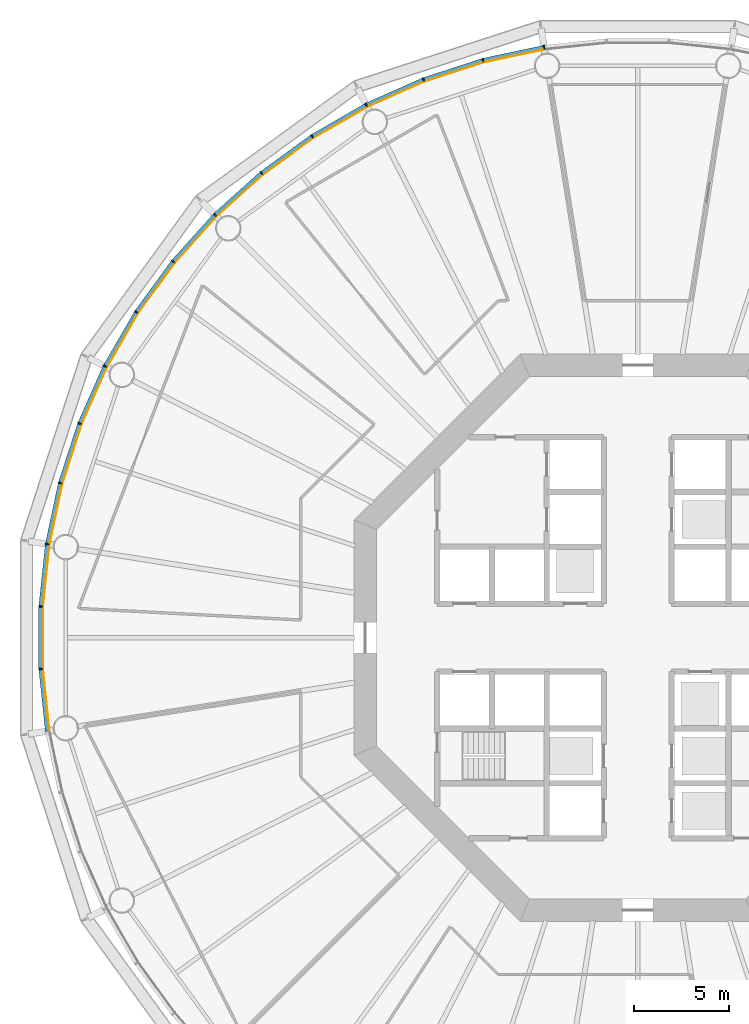
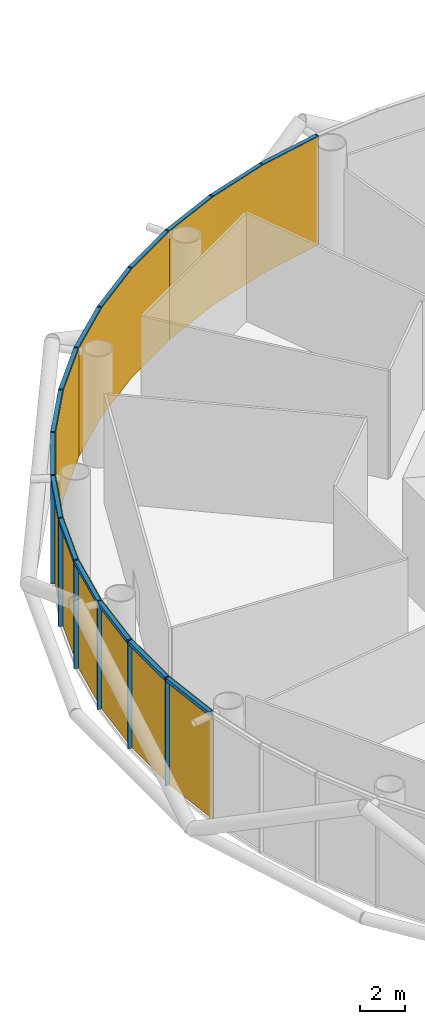
# One storey, part 10 of 14: 30 members, 5 curtain walls.
"""IFC4 building model written with IfcOpenShell, lengths in metres."""

from ifc_helpers import new_model, si_unit, direction, frame, origin, origin_2d, place, context, subcontext, project, spatial, polyline, rectangle, outline, extrude, material, layer, layer_set, material_profile, profile_set, type_object, element, aggregate, save


model = new_model("IFC4")

# Units and contexts
model_context = context("Model", 3, precision=1e-05, world=origin(), true_north=direction((0.0, 1.0)))
body_context = subcontext(model_context, "Body", "Model", "MODEL_VIEW")
ifc_project = project(units=[si_unit("LENGTHUNIT", "METRE"), si_unit("AREAUNIT", "SQUARE_METRE"), si_unit("VOLUMEUNIT", "CUBIC_METRE"), si_unit("PLANEANGLEUNIT", "RADIAN"), si_unit("MASSUNIT", "GRAM", prefix="KILO")], contexts=[model_context])

# Member
ifc_material_1 = material(Name="Anodised aluminium", Category="aluminium")
ifc_material_profile_1 = material_profile(ifc_material_1, rectangle(XDim=0.070068359375, YDim=0.199951171875, at=origin_2d()), Name="Mullion 70 x 200 mm anodised aluminium")
ifc_profile_set_1 = profile_set([ifc_material_profile_1], Name="Anodised aluminium")
member_type_1 = type_object("IfcMemberType", Name="Mullion 70 x 200 mm anodised aluminium", PredefinedType="MULLION", material=ifc_profile_set_1)
site_placement = place(None, origin())
building_placement = place(site_placement, origin())
storey_placement = place(building_placement, frame((0.0, 0.0, 132.0)))
member_1_placement = place(storey_placement, frame((85.056640625, 111.2109375, 0.0), z_axis=(0.0, 0.0, 1.0), x_axis=(-0.987688340595, -0.15643446504, 0.0)))
member_1 = element("IfcMember", 1, at=member_1_placement, type_object=member_type_1, Name="MULLION L30-15", PredefinedType="MULLION", context=body_context, shape_type="SweptSolid", body=[
    extrude(rectangle(XDim=0.070068359375, YDim=0.199951171875, at=origin_2d()), origin(), (0.0, 0.0, 1.0), 5.85009765625),
])

member_2_placement = place(storey_placement, frame((81.8212890625, 110.523193359375, 0.0), z_axis=(0.0, 0.0, 1.0), x_axis=(-0.965925826289, -0.258819045103, 0.0)))
member_2 = element("IfcMember", 2, at=member_2_placement, type_object=member_type_1, Name="MULLION L30-16", PredefinedType="MULLION", context=body_context, shape_type="SweptSolid", body=[
    extrude(rectangle(XDim=0.070068359375, YDim=0.199951171875, at=origin_2d()), origin(), (0.0, 0.0, 1.0), 5.85009765625),
])

member_3_placement = place(storey_placement, frame((78.675537109375, 109.501220703125, 0.0), z_axis=(0.0, 0.0, 1.0), x_axis=(-0.933580426497, -0.358367949545, 0.0)))
member_3 = element("IfcMember", 3, at=member_3_placement, type_object=member_type_1, Name="MULLION L30-17", PredefinedType="MULLION", context=body_context, shape_type="SweptSolid", body=[
    extrude(rectangle(XDim=0.070068359375, YDim=0.199951171875, at=origin_2d()), origin(), (0.0, 0.0, 1.0), 5.85009765625),
])

member_4_placement = place(storey_placement, frame((75.65380859375, 108.15576171875, 0.0), z_axis=(0.0, 0.0, 1.0), x_axis=(-0.891006524188, -0.45399049974, 0.0)))
member_4 = element("IfcMember", 4, at=member_4_placement, type_object=member_type_1, Name="MULLION L30-18", PredefinedType="MULLION", context=body_context, shape_type="SweptSolid", body=[
    extrude(rectangle(XDim=0.070068359375, YDim=0.199951171875, at=origin_2d()), origin(), (0.0, 0.0, 1.0), 5.85009765625),
])

member_5_placement = place(storey_placement, frame((72.789306640625, 106.501953125, 0.0), z_axis=(0.0, 0.0, 1.0), x_axis=(-0.838670567945, -0.544639035015, 0.0)))
member_5 = element("IfcMember", 5, at=member_5_placement, type_object=member_type_1, Name="MULLION L30-19", PredefinedType="MULLION", context=body_context, shape_type="SweptSolid", body=[
    extrude(rectangle(XDim=0.070068359375, YDim=0.199951171875, at=origin_2d()), origin(), (0.0, 0.0, 1.0), 5.85009765625),
])

member_6_placement = place(storey_placement, frame((70.113525390625, 104.557861328125, 0.0), z_axis=(0.0, 0.0, 1.0), x_axis=(-0.777145961457, -0.62932039105, 0.0)))
member_6 = element("IfcMember", 6, at=member_6_placement, type_object=member_type_1, Name="MULLION L30-20", PredefinedType="MULLION", context=body_context, shape_type="SweptSolid", body=[
    extrude(rectangle(XDim=0.070068359375, YDim=0.199951171875, at=origin_2d()), origin(), (0.0, 0.0, 1.0), 5.85009765625),
])

member_7_placement = place(storey_placement, frame((67.655517578125, 102.344482421875, 0.0), z_axis=(0.0, 0.0, 1.0), x_axis=(-0.707106781187, -0.707106781187, 0.0)))
member_7 = element("IfcMember", 7, at=member_7_placement, type_object=member_type_1, Name="MULLION L30-21", PredefinedType="MULLION", context=body_context, shape_type="SweptSolid", body=[
    extrude(rectangle(XDim=0.070068359375, YDim=0.199951171875, at=origin_2d()), origin(), (0.0, 0.0, 1.0), 5.85009765625),
])

member_8_placement = place(storey_placement, frame((65.442138671875, 99.886474609375, 0.0), z_axis=(0.0, 0.0, 1.0), x_axis=(-0.62932039105, -0.777145961457, 0.0)))
member_8 = element("IfcMember", 8, at=member_8_placement, type_object=member_type_1, Name="MULLION L30-22", PredefinedType="MULLION", context=body_context, shape_type="SweptSolid", body=[
    extrude(rectangle(XDim=0.070068359375, YDim=0.199951171875, at=origin_2d()), origin(), (0.0, 0.0, 1.0), 5.85009765625),
])

member_9_placement = place(storey_placement, frame((63.498046875, 97.210693359375, 0.0), z_axis=(0.0, 0.0, 1.0), x_axis=(-0.544639035015, -0.838670567945, 0.0)))
member_9 = element("IfcMember", 9, at=member_9_placement, type_object=member_type_1, Name="MULLION L30-23", PredefinedType="MULLION", context=body_context, shape_type="SweptSolid", body=[
    extrude(rectangle(XDim=0.070068359375, YDim=0.199951171875, at=origin_2d()), origin(), (0.0, 0.0, 1.0), 5.85009765625),
])

member_10_placement = place(storey_placement, frame((61.84423828125, 94.34619140625, 0.0), z_axis=(0.0, 0.0, 1.0), x_axis=(-0.45399049974, -0.891006524188, 0.0)))
member_10 = element("IfcMember", 10, at=member_10_placement, type_object=member_type_1, Name="MULLION L30-24", PredefinedType="MULLION", context=body_context, shape_type="SweptSolid", body=[
    extrude(rectangle(XDim=0.070068359375, YDim=0.199951171875, at=origin_2d()), origin(), (0.0, 0.0, 1.0), 5.85009765625),
])

member_11_placement = place(storey_placement, frame((60.498779296875, 91.324462890625, 0.0), z_axis=(0.0, 0.0, 1.0), x_axis=(-0.358367949545, -0.933580426497, 0.0)))
member_11 = element("IfcMember", 11, at=member_11_placement, type_object=member_type_1, Name="MULLION L30-25", PredefinedType="MULLION", context=body_context, shape_type="SweptSolid", body=[
    extrude(rectangle(XDim=0.070068359375, YDim=0.199951171875, at=origin_2d()), origin(), (0.0, 0.0, 1.0), 5.85009765625),
])

member_12_placement = place(storey_placement, frame((59.476806640625, 88.1787109375, 0.0), z_axis=(0.0, 0.0, 1.0), x_axis=(-0.258819045103, -0.965925826289, 0.0)))
member_12 = element("IfcMember", 12, at=member_12_placement, type_object=member_type_1, Name="MULLION L30-26", PredefinedType="MULLION", context=body_context, shape_type="SweptSolid", body=[
    extrude(rectangle(XDim=0.070068359375, YDim=0.199951171875, at=origin_2d()), origin(), (0.0, 0.0, 1.0), 5.85009765625),
])

member_13_placement = place(storey_placement, frame((58.7890625, 84.943359375, 0.0), z_axis=(0.0, 0.0, 1.0), x_axis=(-0.15643446504, -0.987688340595, 0.0)))
member_13 = element("IfcMember", 13, at=member_13_placement, type_object=member_type_1, Name="MULLION L30-27", PredefinedType="MULLION", context=body_context, shape_type="SweptSolid", body=[
    extrude(rectangle(XDim=0.070068359375, YDim=0.199951171875, at=origin_2d()), origin(), (0.0, 0.0, 1.0), 5.85009765625),
])

member_14_placement = place(storey_placement, frame((58.443359375, 81.65380859375, 0.0), z_axis=(0.0, 0.0, 1.0), x_axis=(-0.052335956243, -0.998629534755, 0.0)))
member_14 = element("IfcMember", 14, at=member_14_placement, type_object=member_type_1, Name="MULLION L30-28", PredefinedType="MULLION", context=body_context, shape_type="SweptSolid", body=[
    extrude(rectangle(XDim=0.070068359375, YDim=0.199951171875, at=origin_2d()), origin(), (0.0, 0.0, 1.0), 5.85009765625),
])

member_15_placement = place(storey_placement, frame((58.443359375, 78.34619140625, 0.0), z_axis=(0.0, 0.0, 1.0), x_axis=(0.052335956243, -0.998629534755, 0.0)))
member_15 = element("IfcMember", 15, at=member_15_placement, type_object=member_type_1, Name="MULLION L30-29", PredefinedType="MULLION", context=body_context, shape_type="SweptSolid", body=[
    extrude(rectangle(XDim=0.070068359375, YDim=0.199951171875, at=origin_2d()), origin(), (0.0, 0.0, 1.0), 5.85009765625),
])

ifc_material_2 = material(Name="Anodised aluminium", Category="aluminium")
ifc_material_profile_2 = material_profile(ifc_material_2, rectangle(XDim=0.199951171875, YDim=0.18994140625, at=origin_2d()), Name="Transom 190 x 200 mm anodised aluminium")
ifc_profile_set_2 = profile_set([ifc_material_profile_2], Name="Anodised aluminium")
member_type_2 = type_object("IfcMemberType", Name="Transom 190 x 200 mm anodised aluminium", PredefinedType="USERDEFINED", material=ifc_profile_set_2)
member_16_placement = place(storey_placement, frame((85.017333984375, 111.20263671875, 5.7548828125), z_axis=(-0.978153082647, -0.207885898771, 0.0), x_axis=(0.207885898771, -0.978153082647, 0.0)))
member_16 = element("IfcMember", 16, at=member_16_placement, type_object=member_type_2, Name="TRANSOM L30-15", ObjectType="TRANSOM", PredefinedType="USERDEFINED", context=body_context, shape_type="SweptSolid", body=[
    extrude(rectangle(XDim=0.199951171875, YDim=0.18994140625, at=origin_2d()), origin(), (0.0, 0.0, 1.0), 3.227294921875),
])

member_17_placement = place(storey_placement, frame((81.782958984375, 110.510986328125, 5.7548828125), z_axis=(-0.951046855117, -0.309046726844, 0.0), x_axis=(0.309046726844, -0.951046855117, 0.0)))
member_17 = element("IfcMember", 17, at=member_17_placement, type_object=member_type_2, Name="TRANSOM L30-16", ObjectType="TRANSOM", PredefinedType="USERDEFINED", context=body_context, shape_type="SweptSolid", body=[
    extrude(rectangle(XDim=0.199951171875, YDim=0.18994140625, at=origin_2d()), origin(), (0.0, 0.0, 1.0), 3.22705078125),
])

member_18_placement = place(storey_placement, frame((78.638671875, 109.48486328125, 5.7548828125), z_axis=(-0.913549291349, -0.406728032322, 0.0), x_axis=(0.406728032322, -0.913549291349, 0.0)))
member_18 = element("IfcMember", 18, at=member_18_placement, type_object=member_type_2, Name="TRANSOM L30-17", ObjectType="TRANSOM", PredefinedType="USERDEFINED", context=body_context, shape_type="SweptSolid", body=[
    extrude(rectangle(XDim=0.199951171875, YDim=0.18994140625, at=origin_2d()), origin(), (0.0, 0.0, 1.0), 3.22705078125),
])

member_19_placement = place(storey_placement, frame((75.618896484375, 108.1357421875, 5.7548828125), z_axis=(-0.866023062494, -0.500004055213, 0.0), x_axis=(0.500004055213, -0.866023062494, 0.0)))
member_19 = element("IfcMember", 19, at=member_19_placement, type_object=member_type_2, Name="TRANSOM L30-18", ObjectType="TRANSOM", PredefinedType="USERDEFINED", context=body_context, shape_type="SweptSolid", body=[
    extrude(rectangle(XDim=0.199951171875, YDim=0.18994140625, at=origin_2d()), origin(), (0.0, 0.0, 1.0), 3.22705078125),
])

member_20_placement = place(storey_placement, frame((72.7568359375, 106.478515625, 5.7548828125), z_axis=(-0.809004252048, -0.587802790201, 0.0), x_axis=(0.587802790201, -0.809004252048, 0.0)))
member_20 = element("IfcMember", 20, at=member_20_placement, type_object=member_type_2, Name="TRANSOM L30-19", ObjectType="TRANSOM", PredefinedType="USERDEFINED", context=body_context, shape_type="SweptSolid", body=[
    extrude(rectangle(XDim=0.199951171875, YDim=0.18994140625, at=origin_2d()), origin(), (0.0, 0.0, 1.0), 3.227294921875),
])

member_21_placement = place(storey_placement, frame((70.08349609375, 104.531005859375, 5.7548828125), z_axis=(-0.743132370743, -0.669144438484, 0.0), x_axis=(0.669144438484, -0.743132370743, 0.0)))
member_21 = element("IfcMember", 21, at=member_21_placement, type_object=member_type_2, Name="TRANSOM L30-20", ObjectType="TRANSOM", PredefinedType="USERDEFINED", context=body_context, shape_type="SweptSolid", body=[
    extrude(rectangle(XDim=0.199951171875, YDim=0.18994140625, at=origin_2d()), origin(), (0.0, 0.0, 1.0), 3.22705078125),
])

member_22_placement = place(storey_placement, frame((67.62841796875, 102.314697265625, 5.7548828125), z_axis=(-0.669144438484, -0.743132370743, 0.0), x_axis=(0.743132370743, -0.669144438484, 0.0)))
member_22 = element("IfcMember", 22, at=member_22_placement, type_object=member_type_2, Name="TRANSOM L30-21", ObjectType="TRANSOM", PredefinedType="USERDEFINED", context=body_context, shape_type="SweptSolid", body=[
    extrude(rectangle(XDim=0.199951171875, YDim=0.18994140625, at=origin_2d()), origin(), (0.0, 0.0, 1.0), 3.22705078125),
])

member_23_placement = place(storey_placement, frame((65.41845703125, 99.85400390625, 5.7548828125), z_axis=(-0.587802790201, -0.809004252048, 0.0), x_axis=(0.809004252048, -0.587802790201, 0.0)))
member_23 = element("IfcMember", 23, at=member_23_placement, type_object=member_type_2, Name="TRANSOM L30-22", ObjectType="TRANSOM", PredefinedType="USERDEFINED", context=body_context, shape_type="SweptSolid", body=[
    extrude(rectangle(XDim=0.199951171875, YDim=0.18994140625, at=origin_2d()), origin(), (0.0, 0.0, 1.0), 3.227294921875),
])

member_24_placement = place(storey_placement, frame((63.477783203125, 97.17578125, 5.7548828125), z_axis=(-0.500004055213, -0.866023062494, 0.0), x_axis=(0.866023062494, -0.500004055213, 0.0)))
member_24 = element("IfcMember", 24, at=member_24_placement, type_object=member_type_2, Name="TRANSOM L30-23", ObjectType="TRANSOM", PredefinedType="USERDEFINED", context=body_context, shape_type="SweptSolid", body=[
    extrude(rectangle(XDim=0.199951171875, YDim=0.18994140625, at=origin_2d()), origin(), (0.0, 0.0, 1.0), 3.22705078125),
])

member_25_placement = place(storey_placement, frame((61.82763671875, 94.309326171875, 5.7548828125), z_axis=(-0.406728032322, -0.913549291349, 0.0), x_axis=(0.913549291349, -0.406728032322, 0.0)))
member_25 = element("IfcMember", 25, at=member_25_placement, type_object=member_type_2, Name="TRANSOM L30-24", ObjectType="TRANSOM", PredefinedType="USERDEFINED", context=body_context, shape_type="SweptSolid", body=[
    extrude(rectangle(XDim=0.199951171875, YDim=0.18994140625, at=origin_2d()), origin(), (0.0, 0.0, 1.0), 3.22705078125),
])

member_26_placement = place(storey_placement, frame((60.486328125, 91.2861328125, 5.7548828125), z_axis=(-0.309046726844, -0.951046855117, 0.0), x_axis=(0.951046855117, -0.309046726844, 0.0)))
member_26 = element("IfcMember", 26, at=member_26_placement, type_object=member_type_2, Name="TRANSOM L30-25", ObjectType="TRANSOM", PredefinedType="USERDEFINED", context=body_context, shape_type="SweptSolid", body=[
    extrude(rectangle(XDim=0.199951171875, YDim=0.18994140625, at=origin_2d()), origin(), (0.0, 0.0, 1.0), 3.22705078125),
])

member_27_placement = place(storey_placement, frame((59.46826171875, 88.139404296875, 5.7548828125), z_axis=(-0.207885898771, -0.978153082647, 0.0), x_axis=(0.978153082647, -0.207885898771, 0.0)))
member_27 = element("IfcMember", 27, at=member_27_placement, type_object=member_type_2, Name="TRANSOM L30-26", ObjectType="TRANSOM", PredefinedType="USERDEFINED", context=body_context, shape_type="SweptSolid", body=[
    extrude(rectangle(XDim=0.199951171875, YDim=0.18994140625, at=origin_2d()), origin(), (0.0, 0.0, 1.0), 3.227294921875),
])

member_28_placement = place(storey_placement, frame((58.78466796875, 84.9033203125, 5.7548828125), z_axis=(-0.104550890115, -0.994519537956, 0.0), x_axis=(0.994519537956, -0.104550890115, 0.0)))
member_28 = element("IfcMember", 28, at=member_28_placement, type_object=member_type_2, Name="TRANSOM L30-27", ObjectType="TRANSOM", PredefinedType="USERDEFINED", context=body_context, shape_type="SweptSolid", body=[
    extrude(rectangle(XDim=0.199951171875, YDim=0.18994140625, at=origin_2d()), origin(), (0.0, 0.0, 1.0), 3.22705078125),
])

member_29_placement = place(storey_placement, frame((58.443115234375, 81.613525390625, 5.7548828125), z_axis=(0.0, -1.0, 0.0), x_axis=(1.0, 0.0, 0.0)))
member_29 = element("IfcMember", 29, at=member_29_placement, type_object=member_type_2, Name="TRANSOM L30-28", ObjectType="TRANSOM", PredefinedType="USERDEFINED", context=body_context, shape_type="SweptSolid", body=[
    extrude(rectangle(XDim=0.199951171875, YDim=0.18994140625, at=origin_2d()), origin(), (0.0, 0.0, 1.0), 3.22705078125),
])

member_30_placement = place(storey_placement, frame((58.447265625, 78.30615234375, 5.7548828125), z_axis=(0.104550890115, -0.994519537956, 0.0), x_axis=(0.994519537956, 0.104550890115, 0.0)))
member_30 = element("IfcMember", 30, at=member_30_placement, type_object=member_type_2, Name="TRANSOM L30-29", ObjectType="TRANSOM", PredefinedType="USERDEFINED", context=body_context, shape_type="SweptSolid", body=[
    extrude(rectangle(XDim=0.199951171875, YDim=0.18994140625, at=origin_2d()), origin(), (0.0, 0.0, 1.0), 3.22705078125),
])

# Site, building, storey
site = spatial("IfcSite", under=ifc_project, at=site_placement, CompositionType="ELEMENT")
building = spatial("IfcBuilding", under=site, at=building_placement, Name="Entoto Ring Tower", CompositionType="ELEMENT")
storey = spatial("IfcBuildingStorey", under=building, at=storey_placement, Name="L30", CompositionType="ELEMENT", Elevation=132.0)

# Curtain wall
ifc_material_3 = material(Name="Clear low-iron glass", Category="glass")
ifc_layer = layer(ifc_material_3, 0.035888671875)
ifc_layer_set = layer_set([ifc_layer], Name="Clear low-iron glass")
curtain_wall_type = type_object("IfcCurtainWallType", Name="Curtain wall system CW2 glazing 36 mm", PredefinedType="NOTDEFINED", material=ifc_layer_set)
curtain_wall_1_placement = place(storey_placement, origin())
curtain_wall_1 = element("IfcCurtainWall", 31, at=curtain_wall_1_placement, inside=storey, type_object=curtain_wall_type, Name="CW2 L30-06", PredefinedType="NOTDEFINED", context=body_context, shape_type="SweptSolid", body=[
    extrude(outline(polyline([(85.072265625, 111.1123046875), (81.84716796875, 110.4267578125), (78.71142578125, 109.40771484375), (75.69921875, 108.066650390625), (75.715576171875, 108.03466796875), (78.724365234375, 109.3740234375), (81.8564453125, 110.391845703125), (85.077880859375, 111.07666015625), (85.072265625, 111.1123046875)])), origin(), (0.0, 0.0, 1.0), 5.85009765625),
])

aggregate(curtain_wall_1, [member_1, member_2, member_3, member_16, member_17, member_18])

curtain_wall_2_placement = place(storey_placement, origin())
curtain_wall_2 = element("IfcCurtainWall", 32, at=curtain_wall_2_placement, inside=storey, type_object=curtain_wall_type, Name="CW2 L30-07", PredefinedType="NOTDEFINED", context=body_context, shape_type="SweptSolid", body=[
    extrude(outline(polyline([(75.69921875, 108.066650390625), (72.84375, 106.418212890625), (70.176513671875, 104.47998046875), (67.72607421875, 102.27392578125), (67.751708984375, 102.248291015625), (70.198974609375, 104.4521484375), (72.863525390625, 106.387939453125), (75.715576171875, 108.03466796875), (75.69921875, 108.066650390625)])), origin(), (0.0, 0.0, 1.0), 5.85009765625),
])

aggregate(curtain_wall_2, [member_4, member_5, member_6, member_19, member_20, member_21])

curtain_wall_3_placement = place(storey_placement, origin())
curtain_wall_3 = element("IfcCurtainWall", 33, at=curtain_wall_3_placement, inside=storey, type_object=curtain_wall_type, Name="CW2 L30-08", PredefinedType="NOTDEFINED", context=body_context, shape_type="SweptSolid", body=[
    extrude(outline(polyline([(67.72607421875, 102.27392578125), (65.52001953125, 99.823486328125), (63.581787109375, 97.15625), (61.933349609375, 94.30078125), (61.96533203125, 94.284423828125), (63.612060546875, 97.136474609375), (65.5478515625, 99.801025390625), (67.751708984375, 102.248291015625), (67.72607421875, 102.27392578125)])), origin(), (0.0, 0.0, 1.0), 5.85009765625),
])

aggregate(curtain_wall_3, [member_7, member_8, member_9, member_22, member_23, member_24])

curtain_wall_4_placement = place(storey_placement, origin())
curtain_wall_4 = element("IfcCurtainWall", 34, at=curtain_wall_4_placement, inside=storey, type_object=curtain_wall_type, Name="CW2 L30-09", PredefinedType="NOTDEFINED", context=body_context, shape_type="SweptSolid", body=[
    extrude(outline(polyline([(61.933349609375, 94.30078125), (60.59228515625, 91.28857421875), (59.5732421875, 88.15283203125), (58.8876953125, 84.927734375), (58.92333984375, 84.922119140625), (59.608154296875, 88.1435546875), (60.6259765625, 91.275634765625), (61.96533203125, 94.284423828125), (61.933349609375, 94.30078125)])), origin(), (0.0, 0.0, 1.0), 5.85009765625),
])

aggregate(curtain_wall_4, [member_10, member_11, member_12, member_25, member_26, member_27])

curtain_wall_5_placement = place(storey_placement, origin())
curtain_wall_5 = element("IfcCurtainWall", 35, at=curtain_wall_5_placement, inside=storey, type_object=curtain_wall_type, Name="CW2 L30-10", PredefinedType="NOTDEFINED", context=body_context, shape_type="SweptSolid", body=[
    extrude(outline(polyline([(58.8876953125, 84.927734375), (58.543212890625, 81.648681640625), (58.543212890625, 78.351318359375), (58.8876953125, 75.072265625), (58.92333984375, 75.077880859375), (58.5791015625, 78.353271484375), (58.5791015625, 81.646728515625), (58.92333984375, 84.922119140625), (58.8876953125, 84.927734375)])), origin(), (0.0, 0.0, 1.0), 5.85009765625),
])

aggregate(curtain_wall_5, [member_13, member_14, member_15, member_28, member_29, member_30])

save(model, "model.ifc")
